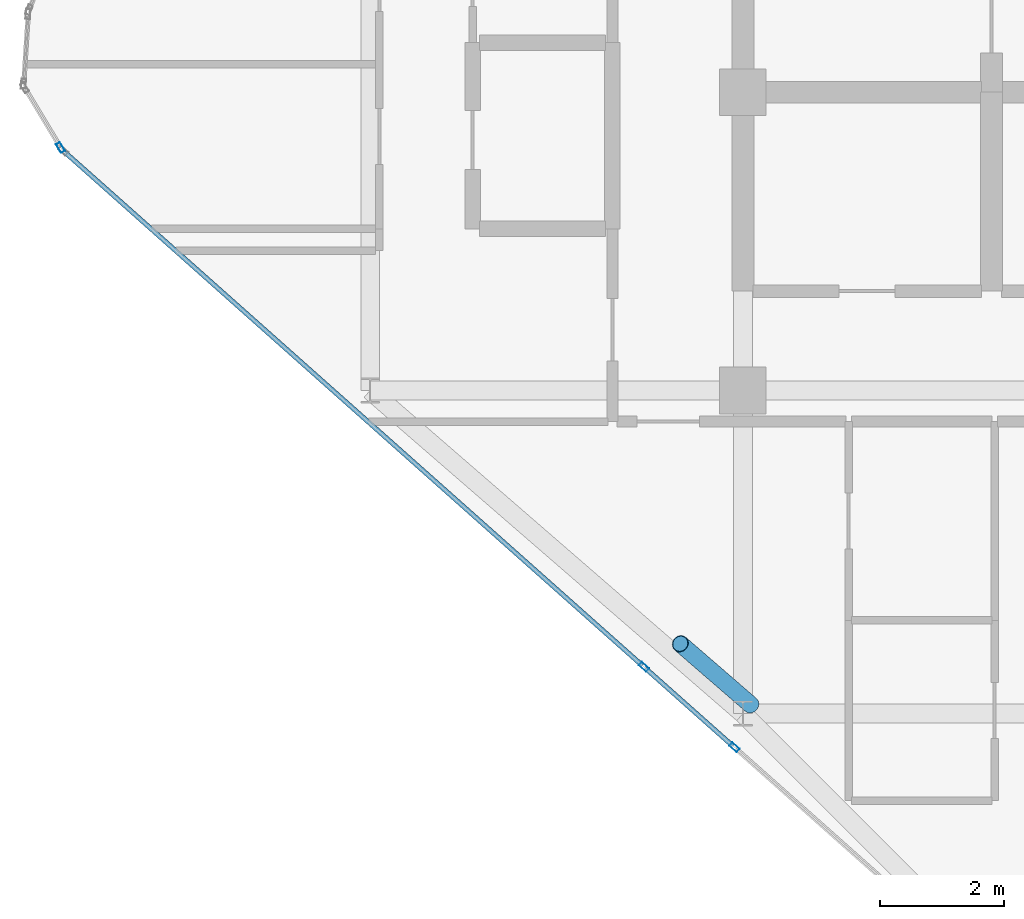
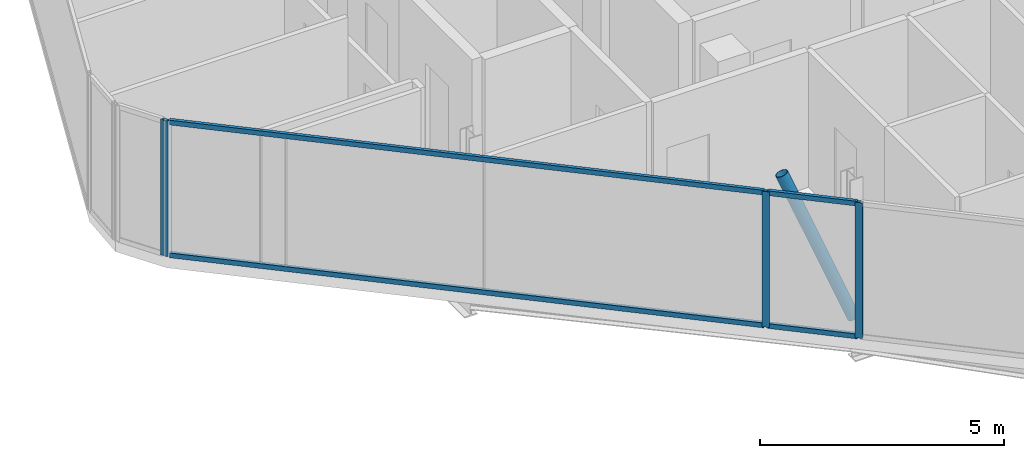
# One storey, part 3 of 31: 8 members, 4 elements without a shape of their own.
"""IFC4 building model written with IfcOpenShell, lengths in metres."""

from ifc_helpers import new_model, si_unit, direction, frame, origin, origin_2d, place, context, subcontext, project, spatial, hollow_rectangle, hollow_circle, extrude, material, layer, layer_set, material_profile, profile_set, type_object, element, aggregate, save


model = new_model("IFC4")

# Units and contexts
model_context = context("Model", 3, precision=1e-05, world=origin(), true_north=direction((0.0, 1.0)))
body_context = subcontext(model_context, "Body", "Model", "MODEL_VIEW")
ifc_project = project(units=[si_unit("LENGTHUNIT", "METRE"), si_unit("AREAUNIT", "SQUARE_METRE"), si_unit("VOLUMEUNIT", "CUBIC_METRE"), si_unit("PLANEANGLEUNIT", "RADIAN"), si_unit("MASSUNIT", "GRAM", prefix="KILO")], contexts=[model_context])

# Site, building, storey
site_placement = place(None, origin())
site = spatial("IfcSite", under=ifc_project, at=site_placement, CompositionType="ELEMENT")
building_placement = place(site_placement, origin())
building = spatial("IfcBuilding", under=site, at=building_placement, Name="Keshet Zoharim Tower", CompositionType="ELEMENT")
storey_placement = place(building_placement, frame((0.0, 0.0, 276.89990234375)))
storey = spatial("IfcBuildingStorey", under=building, at=storey_placement, Name="L69", CompositionType="ELEMENT", Elevation=276.89990234375)

# Curtain wall, member
ifc_material_1 = material(Name="Aluminium 6063-T6", Category="aluminium")
ifc_layer = layer(ifc_material_1, 0.260009765625)
ifc_layer_set = layer_set([ifc_layer], Name="Aluminium 6063-T6")
curtain_wall_type = type_object("IfcCurtainWallType", Name="CW-SYS-06", PredefinedType="NOTDEFINED", material=ifc_layer_set)
curtain_wall_1_placement = place(storey_placement, origin())
curtain_wall_1 = element("IfcCurtainWall", 1, at=curtain_wall_1_placement, inside=storey, type_object=curtain_wall_type, Name="L69 Unitised Curtain Wall 01", PredefinedType="NOTDEFINED")
ifc_material_profile_1 = material_profile(ifc_material_1, hollow_rectangle(XDim=0.074951171875, YDim=0.159912109375, WallThickness=0.00390625, at=origin_2d()), Name="MUL-75x160")
ifc_profile_set_1 = profile_set([ifc_material_profile_1], Name="Aluminium 6063-T6")
member_type_1 = type_object("IfcMemberType", Name="CWM-M15", PredefinedType="MULLION", material=ifc_profile_set_1)
member_1_placement = place(storey_placement, frame((4.016845703125, 21.81005859375, 0.0), z_axis=(0.0, 0.0, 1.0), x_axis=(-0.856826433805, -0.515604947933, 0.0)))
member_1 = element("IfcMember", 2, at=member_1_placement, type_object=member_type_1, Name="CW-06 mullion 1", PredefinedType="MULLION", context=body_context, shape_type="SweptSolid", body=[
    extrude(hollow_rectangle(XDim=0.074951171875, YDim=0.159912109375, WallThickness=0.00390625, at=origin_2d()), origin(), (0.0, 0.0, 1.0), 3.39013671875),
])
aggregate(curtain_wall_1, [member_1])

curtain_wall_2_placement = place(storey_placement, origin())
curtain_wall_2 = element("IfcCurtainWall", 3, at=curtain_wall_2_placement, inside=storey, type_object=curtain_wall_type, Name="L69 Unitised Curtain Wall 16 Part 2", PredefinedType="NOTDEFINED")
member_2_placement = place(storey_placement, frame((14.863037109375, 12.155029296875, 0.0), z_axis=(0.0, 0.0, 1.0), x_axis=(-0.664364790358, -0.747408472879, 0.0)))
member_2 = element("IfcMember", 4, at=member_2_placement, type_object=member_type_1, Name="CW-06 mullion 2", PredefinedType="MULLION", context=body_context, shape_type="SweptSolid", body=[
    extrude(hollow_rectangle(XDim=0.074951171875, YDim=0.159912109375, WallThickness=0.00390625, at=origin_2d()), origin(), (0.0, 0.0, 1.0), 3.39013671875),
])
aggregate(curtain_wall_2, [member_2])

# Curtain wall, members
curtain_wall_3_placement = place(storey_placement, origin())
curtain_wall_3 = element("IfcCurtainWall", 5, at=curtain_wall_3_placement, inside=storey, type_object=curtain_wall_type, Name="L69 Unitised Curtain Wall 16 Part 3", PredefinedType="NOTDEFINED")
member_3_placement = place(storey_placement, frame((13.40576171875, 13.450439453125, 0.0), z_axis=(0.0, 0.0, 1.0), x_axis=(-0.664338369143, -0.747431957629, 0.0)))
member_3 = element("IfcMember", 6, at=member_3_placement, type_object=member_type_1, Name="CW-06 mullion 2", PredefinedType="MULLION", context=body_context, shape_type="SweptSolid", body=[
    extrude(hollow_rectangle(XDim=0.074951171875, YDim=0.159912109375, WallThickness=0.00390625, at=origin_2d()), origin(), (0.0, 0.0, 1.0), 3.39013671875),
])
ifc_material_profile_2 = material_profile(ifc_material_1, hollow_rectangle(XDim=0.074951171875, YDim=0.1201171875, WallThickness=0.00390625, at=origin_2d()), Name="TRN-75x120")
ifc_profile_set_2 = profile_set([ifc_material_profile_2], Name="Aluminium 6063-T6")
member_type_2 = type_object("IfcMemberType", Name="CWT-T12", PredefinedType="USERDEFINED", material=ifc_profile_set_2)
member_4_placement = place(storey_placement, frame((14.8369140625, 12.178466796875, 0.03515625), z_axis=(-0.747452318941, 0.664315460387, 0.0), x_axis=(-0.664315460387, -0.747452318941, 0.0)))
member_4 = element("IfcMember", 7, at=member_4_placement, type_object=member_type_2, Name="CW-06 transom 1.1", ObjectType="TRANSOM", PredefinedType="USERDEFINED", context=body_context, shape_type="SweptSolid", body=[
    extrude(hollow_rectangle(XDim=0.074951171875, YDim=0.1201171875, WallThickness=0.00390625, at=origin_2d()), origin(), (0.0, 0.0, 1.0), 1.87939453125),
])
member_5_placement = place(storey_placement, frame((14.8369140625, 12.178466796875, 3.35498046875), z_axis=(-0.747452318941, 0.664315460387, 0.0), x_axis=(-0.664315460387, -0.747452318941, 0.0)))
member_5 = element("IfcMember", 8, at=member_5_placement, type_object=member_type_2, Name="CW-06 transom 1.2", ObjectType="TRANSOM", PredefinedType="USERDEFINED", context=body_context, shape_type="SweptSolid", body=[
    extrude(hollow_rectangle(XDim=0.074951171875, YDim=0.1201171875, WallThickness=0.00390625, at=origin_2d()), origin(), (0.0, 0.0, 1.0), 1.87939453125),
])
aggregate(curtain_wall_3, [member_3, member_4, member_5])

curtain_wall_4_placement = place(storey_placement, origin())
curtain_wall_4 = element("IfcCurtainWall", 9, at=curtain_wall_4_placement, inside=storey, type_object=curtain_wall_type, Name="L69 Unitised Curtain Wall 16 Part 4", PredefinedType="NOTDEFINED")
member_6_placement = place(storey_placement, frame((13.379638671875, 13.4736328125, 0.03515625), z_axis=(-0.747409318684, 0.66436383883, 0.0), x_axis=(-0.66436383883, -0.747409318684, 0.0)))
member_6 = element("IfcMember", 10, at=member_6_placement, type_object=member_type_2, Name="CW-06 transom 1.1", ObjectType="TRANSOM", PredefinedType="USERDEFINED", context=body_context, shape_type="SweptSolid", body=[
    extrude(hollow_rectangle(XDim=0.074951171875, YDim=0.1201171875, WallThickness=0.00390625, at=origin_2d()), origin(), (0.0, 0.0, 1.0), 12.4326171875),
])
member_7_placement = place(storey_placement, frame((13.379638671875, 13.4736328125, 3.35498046875), z_axis=(-0.747409318684, 0.66436383883, 0.0), x_axis=(-0.66436383883, -0.747409318684, 0.0)))
member_7 = element("IfcMember", 11, at=member_7_placement, type_object=member_type_2, Name="CW-06 transom 1.2", ObjectType="TRANSOM", PredefinedType="USERDEFINED", context=body_context, shape_type="SweptSolid", body=[
    extrude(hollow_rectangle(XDim=0.074951171875, YDim=0.1201171875, WallThickness=0.00390625, at=origin_2d()), origin(), (0.0, 0.0, 1.0), 12.4326171875),
])
aggregate(curtain_wall_4, [member_6, member_7])

# Member
ifc_material_2 = material(Name="Steel S355", Category="steel")
ifc_material_profile_3 = material_profile(ifc_material_2, hollow_circle(Radius=0.136474609375, WallThickness=0.010009765625, at=origin_2d()), Name="CHS273x10")
ifc_profile_set_3 = profile_set([ifc_material_profile_3], Name="Steel S355")
member_type_3 = type_object("IfcMemberType", Name="MB-BR-C273", PredefinedType="BRACE", material=ifc_profile_set_3)
member_8_placement = place(storey_placement, frame((15.1259765625, 12.842041015625, 0.0), z_axis=(-0.305901085163, 0.264872801835, 0.914476311855), x_axis=(-0.654589683411, -0.755984355904, 0.0)))
element("IfcMember", 12, at=member_8_placement, inside=storey, type_object=member_type_3, Name="L69 Perimeter Tube Brace 01", PredefinedType="BRACE", context=body_context, shape_type="SweptSolid", body=[
    extrude(hollow_circle(Radius=0.136474609375, WallThickness=0.010009765625, at=origin_2d()), origin(), (0.0, 0.0, 1.0), 3.707275390625),
])

save(model, "model.ifc")
